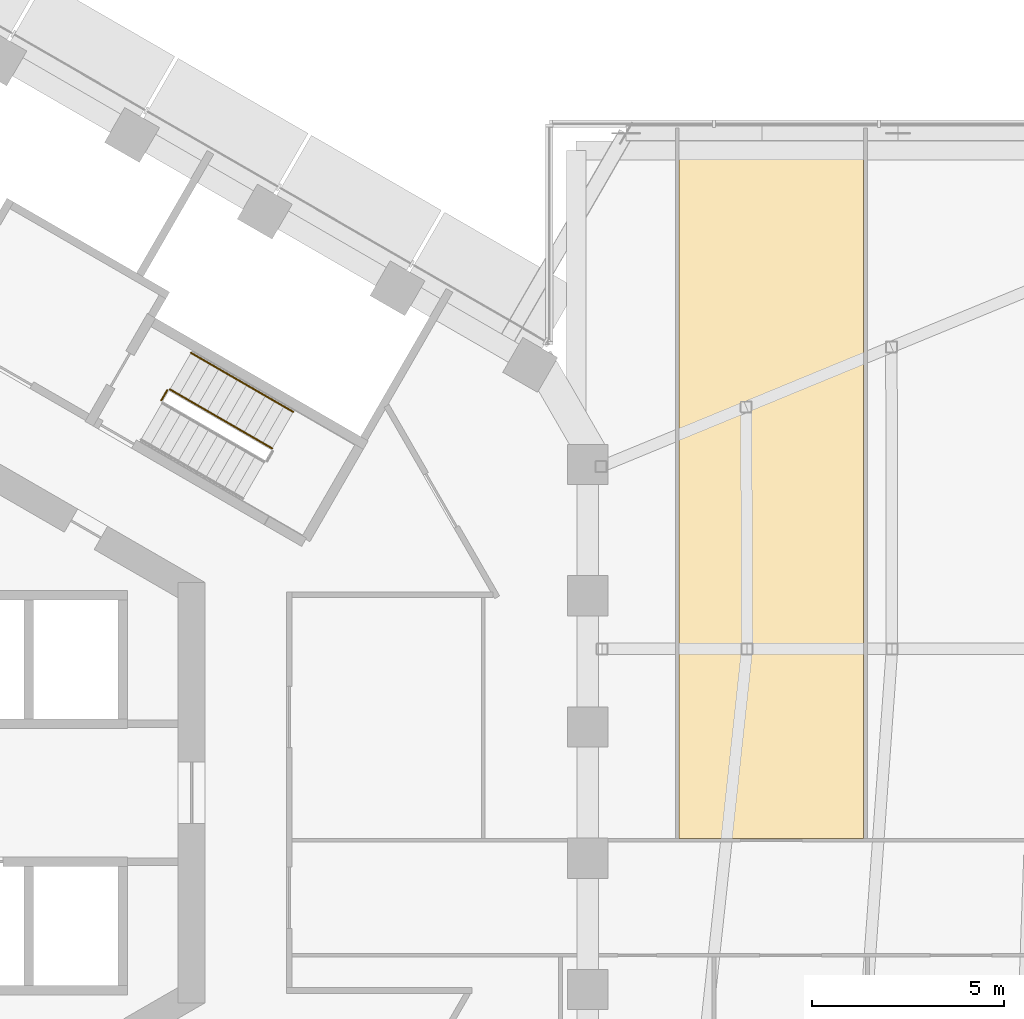
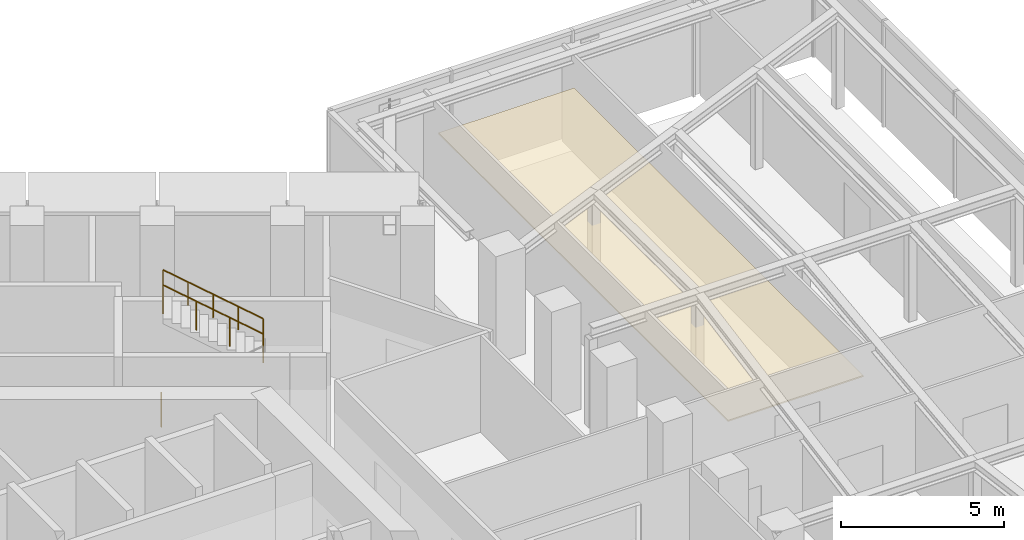
# One storey, part 24 of 24: 4 railings, 1 covering.
"""IFC4 building model written with IfcOpenShell, lengths in metres."""

from ifc_helpers import new_model, si_unit, direction, frame, origin, origin_2d, place, context, subcontext, project, spatial, polyline, circle, outline, extrude, material, layer, layer_set, type_object, element, save


model = new_model("IFC4")

# Units and contexts
model_context = context("Model", 3, precision=1e-05, world=origin(), true_north=direction((0.0, 1.0)))
body_context = subcontext(model_context, "Body", "Model", "MODEL_VIEW")
ifc_project = project(units=[si_unit("LENGTHUNIT", "METRE"), si_unit("AREAUNIT", "SQUARE_METRE"), si_unit("VOLUMEUNIT", "CUBIC_METRE"), si_unit("PLANEANGLEUNIT", "RADIAN"), si_unit("MASSUNIT", "GRAM", prefix="KILO")], contexts=[model_context])

# Site, building, storey
site_placement = place(None, origin())
site = spatial("IfcSite", under=ifc_project, at=site_placement, CompositionType="ELEMENT")
building_placement = place(site_placement, origin())
building = spatial("IfcBuilding", under=site, at=building_placement, Name="Ayvan Gate Tower", CompositionType="ELEMENT")
storey_placement = place(building_placement, frame((0.0, 0.0, 128.5)))
storey = spatial("IfcBuildingStorey", under=building, at=storey_placement, Name="L34", CompositionType="ELEMENT", Elevation=128.5)

# Covering
ifc_material_1 = material(Name="Plasterboard suspended ceiling")
ifc_layer = layer(ifc_material_1, 0.050048828125)
ifc_layer_set = layer_set([ifc_layer], Name="Plasterboard suspended ceiling")
covering_type = type_object("IfcCoveringType", Name="CT-SUSP-50", PredefinedType="CEILING", material=ifc_layer_set)
covering_placement = place(storey_placement, frame((0.0, 0.0, 2.39990234375)))
element("IfcCovering", 1, at=covering_placement, inside=storey, type_object=covering_type, Name="Ceiling Study Lounge 1 L34", PredefinedType="CEILING", context=body_context, shape_type="SweptSolid", body=[
    extrude(outline(polyline([(21.871337890625, -1.191650390625), (21.871337890625, 16.60009765625), (26.678466796875, 16.60009765625), (26.678466796875, -1.191650390625), (21.871337890625, -1.191650390625)])), origin(), (0.0, 0.0, 1.0), 0.050048828125),
])

# Railings
ifc_material_2 = material(Name="Stainless steel balustrade", Category="steel")
railing_type_1 = type_object("IfcRailingType", Name="RL-GUARD-1100", PredefinedType="GUARDRAIL", material=ifc_material_2)
railing_1_placement = place(storey_placement, frame((11.25341796875, 8.981689453125, 2.166748046875)))
element("IfcRailing", 2, at=railing_1_placement, inside=storey, type_object=railing_type_1, Name="L34 STS1 stair guard 3", PredefinedType="GUARDRAIL", context=body_context, shape_type="SweptSolid", body=[
    extrude(circle(Radius=0.02392578125, at=origin_2d()), frame((0.0, 0.0, 1.076171875), z_axis=(-0.74418122563, 0.429615651263, 0.511492615401), x_axis=(-0.499967199496, -0.866044340336, 0.0)), (0.0, 0.0, 1.0), 3.584228515625),
    extrude(circle(Radius=0.02099609375, at=origin_2d()), origin(), (0.0, 0.0, 1.0), 1.052001953125),
    extrude(circle(Radius=0.02099609375, at=origin_2d()), frame((-0.88916015625, 0.51318359375, 0.611083984375)), (0.0, 0.0, 1.0), 1.052001953125),
    extrude(circle(Radius=0.02099609375, at=origin_2d()), frame((-1.778076171875, 1.026611328125, 1.22216796875)), (0.0, 0.0, 1.0), 1.052001953125),
    extrude(circle(Radius=0.02099609375, at=origin_2d()), frame((-2.667236328125, 1.539794921875, 1.833251953125)), (0.0, 0.0, 1.0), 1.052001953125),
])
railing_2_placement = place(storey_placement, frame((8.36279296875, 10.23486328125, 0.0)))
element("IfcRailing", 3, at=railing_2_placement, inside=storey, type_object=railing_type_1, Name="L34 STS1 stair guard 4", PredefinedType="GUARDRAIL", context=body_context, shape_type="SweptSolid", body=[
    extrude(circle(Radius=0.02392578125, at=origin_2d()), frame((0.0, 0.0, 1.076171875), z_axis=(0.500290723946, 0.86585748916, 0.0), x_axis=(-0.86585748916, 0.500290723946, 0.0)), (0.0, 0.0, 1.0), 0.309814453125),
    extrude(circle(Radius=0.02099609375, at=origin_2d()), origin(), (0.0, 0.0, 1.0), 1.052001953125),
    extrude(circle(Radius=0.02099609375, at=origin_2d()), frame((0.155029296875, 0.268310546875, 0.0)), (0.0, 0.0, 1.0), 1.052001953125),
])
railing_type_2 = type_object("IfcRailingType", Name="RL-HANDRAIL-900", PredefinedType="HANDRAIL", material=ifc_material_2)
railing_3_placement = place(storey_placement, frame((11.803466796875, 9.93408203125, 2.166748046875)))
element("IfcRailing", 4, at=railing_3_placement, inside=storey, type_object=railing_type_2, Name="L34 STS1 stair handrail 3", PredefinedType="HANDRAIL", context=body_context, shape_type="SweptSolid", body=[
    extrude(circle(Radius=0.02392578125, at=origin_2d()), frame((0.0, 0.0, 0.8759765625), z_axis=(-0.744215763664, 0.42966438195, 0.511401423539), x_axis=(-0.499992328818, -0.866029832698, 0.0)), (0.0, 0.0, 1.0), 1.792236328125),
    extrude(circle(Radius=0.02099609375, at=origin_2d()), origin(), (0.0, 0.0, 1.0), 0.851806640625),
    extrude(circle(Radius=0.02099609375, at=origin_2d()), frame((-0.6669921875, 0.385009765625, 0.458251953125)), (0.0, 0.0, 1.0), 0.851806640625),
    extrude(circle(Radius=0.02099609375, at=origin_2d()), frame((-1.333740234375, 0.77001953125, 0.91650390625)), (0.0, 0.0, 1.0), 0.851806640625),
])
railing_4_placement = place(storey_placement, frame((10.4697265625, 10.7041015625, 3.083251953125)))
element("IfcRailing", 5, at=railing_4_placement, inside=storey, type_object=railing_type_2, Name="L34 STS1 stair handrail 4", PredefinedType="HANDRAIL", context=body_context, shape_type="SweptSolid", body=[
    extrude(circle(Radius=0.02392578125, at=origin_2d()), frame((0.0, 0.0, 0.8759765625), z_axis=(-0.7441639146, 0.429634447492, 0.511502013422), x_axis=(-0.499992328818, -0.866029832698, 0.0)), (0.0, 0.0, 1.0), 1.792236328125),
    extrude(circle(Radius=0.02099609375, at=origin_2d()), origin(), (0.0, 0.0, 1.0), 0.851806640625),
    extrude(circle(Radius=0.02099609375, at=origin_2d()), frame((-0.6669921875, 0.385009765625, 0.45849609375)), (0.0, 0.0, 1.0), 0.851806640625),
    extrude(circle(Radius=0.02099609375, at=origin_2d()), frame((-1.333740234375, 0.77001953125, 0.916748046875)), (0.0, 0.0, 1.0), 0.851806640625),
])

save(model, "model.ifc")
